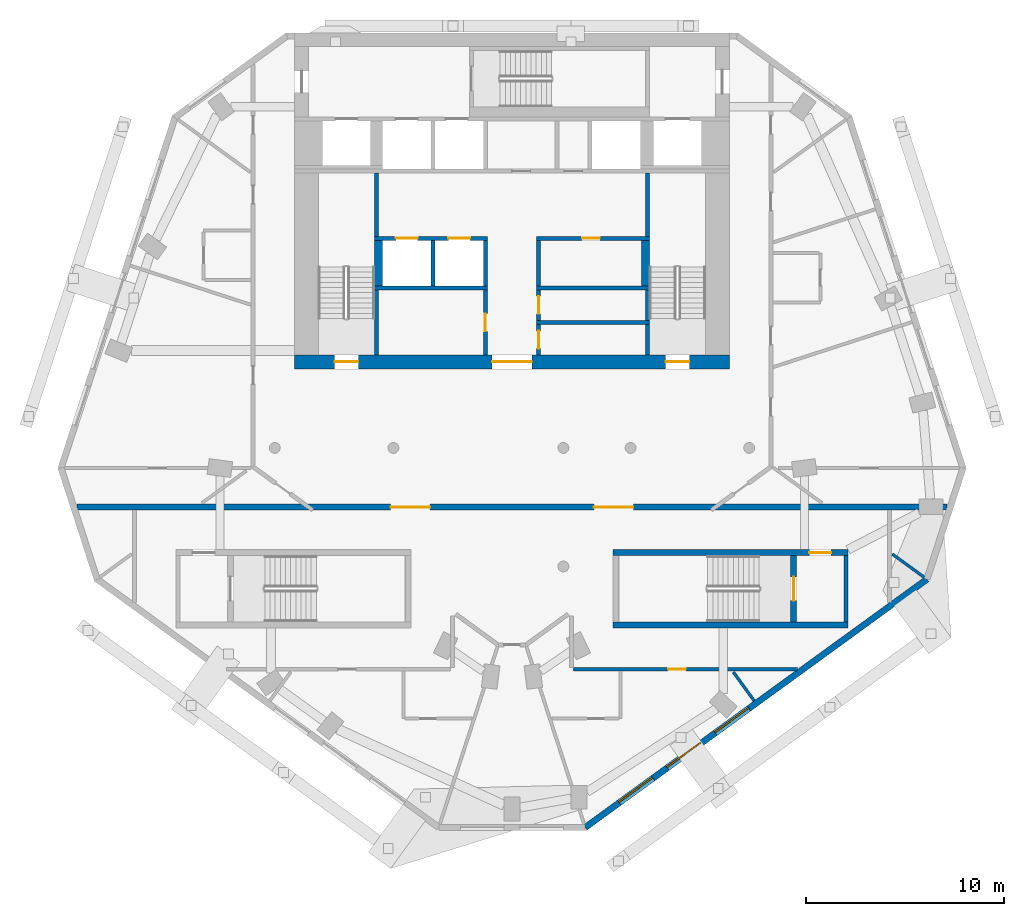
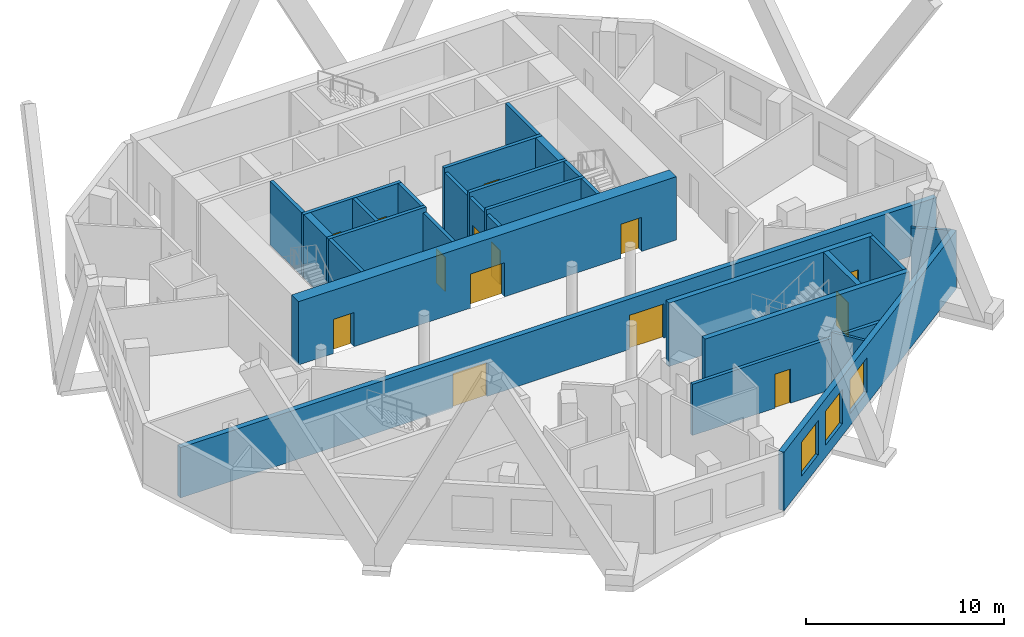
# One storey, part 4 of 8: 28 walls, 14 doors, 3 windows, 17 openings.
"""IFC4 building model written with IfcOpenShell, lengths in metres."""

from ifc_helpers import new_model, si_unit, direction, frame, frame_2d, origin, place, context, subcontext, project, spatial, rectangle, extrude, material, layer, layer_set, type_object, element, fill, save


model = new_model("IFC4")

# Units and contexts
model_context = context("Model", 3, precision=1e-05, world=origin(), true_north=direction((0.0, 1.0)))
body_context = subcontext(model_context, "Body", "Model", "MODEL_VIEW")
ifc_project = project(units=[si_unit("LENGTHUNIT", "METRE"), si_unit("AREAUNIT", "SQUARE_METRE"), si_unit("VOLUMEUNIT", "CUBIC_METRE"), si_unit("PLANEANGLEUNIT", "RADIAN"), si_unit("MASSUNIT", "GRAM", prefix="KILO")], contexts=[model_context])

# Site, building, storey
site_placement = place(None, origin())
site = spatial("IfcSite", under=ifc_project, at=site_placement, CompositionType="ELEMENT")
building_placement = place(site_placement, origin())
building = spatial("IfcBuilding", under=site, at=building_placement, Name="White Candle Pilgrim Tower", CompositionType="ELEMENT")
storey_placement = place(building_placement, frame((0.0, 0.0, 283.39990234375)))
storey = spatial("IfcBuildingStorey", under=building, at=storey_placement, Name="L67", CompositionType="ELEMENT", Elevation=283.39990234375)

# Wall
ifc_material_1 = material(Name="Concrete C50/60", Category="concrete")
ifc_layer_1 = layer(ifc_material_1, 0.199951171875)
ifc_layer_set_1 = layer_set([ifc_layer_1], Name="Core wall 200 mm Concrete C50/60")
wall_type_1 = type_object("IfcWallType", Name="Core wall 200 mm Concrete C50/60", PredefinedType="SHEAR", material=ifc_layer_set_1)
wall_1_placement = place(storey_placement, frame((86.89990234375, 58.199951171875, 0.0), z_axis=(0.0, 0.0, 1.0), x_axis=(0.0, 1.0, 0.0)))
element("IfcWall", 1, at=wall_1_placement, inside=storey, type_object=wall_type_1, Name="WL-L67-C08", PredefinedType="SHEAR", context=body_context, shape_type="SweptSolid", body=[
    extrude(rectangle(XDim=3.35009765625, YDim=0.199951171875, at=frame_2d((1.675048828125, 0.0))), origin(), (0.0, 0.0, 1.0), 3.900146484375),
])

# Wall, opening, door
ifc_material_2 = material(Name="Gypsum board on steel studs", Category="steel")
ifc_layer_2 = layer(ifc_material_2, 0.199951171875)
ifc_layer_set_2 = layer_set([ifc_layer_2], Name="Corridor wall 200 mm EI 45")
wall_type_2 = type_object("IfcWallType", Name="Corridor wall 200 mm EI 45", PredefinedType="PARTITIONING", material=ifc_layer_set_2)
wall_2_placement = place(storey_placement, frame((84.452392578125, 55.800048828125, 0.0), z_axis=(0.0, 0.0, 1.0), x_axis=(-1.0, 0.0, 0.0)))
wall_2 = element("IfcWall", 2, at=wall_2_placement, inside=storey, type_object=wall_type_2, Name="WL-L67-P008", PredefinedType="PARTITIONING", context=body_context, shape_type="SweptSolid", body=[
    extrude(rectangle(XDim=11.352294921875, YDim=0.199951171875, at=frame_2d((5.67626953125, 0.0))), origin(), (0.0, 0.0, 1.0), 3.150146484375),
])
opening_1_placement = place(wall_2_placement, frame((5.654541015625, 0.0, 0.0)))
opening_1 = element("IfcOpeningElement", 3, at=opening_1_placement, cuts=wall_2, Name="Opening T21-106", PredefinedType="OPENING", context=body_context, shape_type="SweptSolid", body=[
    extrude(rectangle(XDim=0.89990234375, YDim=2.10009765625, at=frame_2d((0.449951171875, 1.050048828125))), frame((0.0, 0.10986328125, 0.0), z_axis=(0.0, -1.0, 0.0), x_axis=(1.0, 0.0, 0.0)), (0.0, 0.0, 1.0), 0.219970703125),
])
ifc_material_3 = material(Name="Steel door leaf", Category="steel")
door_type_1 = type_object("IfcDoorType", Name="Fire door 900 x 2100 EI 30", OperationType="NOTDEFINED", PredefinedType="DOOR", material=ifc_material_3)
door_1_placement = place(opening_1_placement, origin())
door_1 = element("IfcDoor", 4, at=door_1_placement, inside=storey, type_object=door_type_1, Name="Door T21-106", OperationType="SINGLE_SWING_RIGHT", OverallHeight=2.10009765625, OverallWidth=0.89990234375, PredefinedType="DOOR", context=body_context, shape_type="SweptSolid", body=[
    extrude(rectangle(XDim=0.89990234375, YDim=2.10009765625, at=frame_2d((0.449951171875, 1.050048828125))), frame((0.0, 0.02490234375, 0.0), z_axis=(0.0, -1.0, 0.0), x_axis=(1.0, 0.0, 0.0)), (0.0, 0.0, 1.0), 0.050048828125),
])
fill(opening_1, door_1)

# Wall, openings, windows
ifc_material_4 = material(Name="Precast concrete C40/50", Category="concrete")
ifc_layer_3 = layer(ifc_material_4, 0.320068359375)
ifc_layer_set_3 = layer_set([ifc_layer_3], Name="Facade wall EW1 precast concrete C40/50 pier wall with timber-lined reveals")
wall_type_3 = type_object("IfcWallType", Name="Facade wall EW1 precast concrete C40/50 pier wall with timber-lined reveals", PredefinedType="SOLIDWALL", material=ifc_layer_set_3)
wall_3_placement = place(storey_placement, frame((73.705078125, 47.7939453125, 0.0), z_axis=(0.0, 0.0, 1.0), x_axis=(0.809019072803, 0.58778239157, 0.0)))
wall_3 = element("IfcWall", 5, at=wall_3_placement, inside=storey, type_object=wall_type_3, Name="Facade wall L67 SE", PredefinedType="SOLIDWALL", context=body_context, shape_type="SweptSolid", body=[
    extrude(rectangle(XDim=21.369873046875, YDim=0.320068359375, at=frame_2d((10.68505859375, 0.0))), origin(), (0.0, 0.0, 1.0), 3.60009765625),
])
opening_2_placement = place(wall_3_placement, frame((2.135009765625, 0.0, 0.75)))
opening_2 = element("IfcOpeningElement", 6, at=opening_2_placement, cuts=wall_3, Name="Opening W3", PredefinedType="OPENING", context=body_context, shape_type="SweptSolid", body=[
    extrude(rectangle(XDim=2.10009765625, YDim=2.10009765625, at=frame_2d((1.050048828125, 1.050048828125))), frame((0.0, 0.169921875, 0.0), z_axis=(0.0, -1.0, 0.0), x_axis=(1.0, 0.0, 0.0)), (0.0, 0.0, 1.0), 0.340087890625),
])
opening_3_placement = place(wall_3_placement, frame((5.135009765625, 0.0, 0.75)))
opening_3 = element("IfcOpeningElement", 7, at=opening_3_placement, cuts=wall_3, Name="Opening W3", PredefinedType="OPENING", context=body_context, shape_type="SweptSolid", body=[
    extrude(rectangle(XDim=2.10009765625, YDim=2.10009765625, at=frame_2d((1.050048828125, 1.050048828125))), frame((0.0, 0.169921875, 0.0), z_axis=(0.0, -1.0, 0.0), x_axis=(1.0, 0.0, 0.0)), (0.0, 0.0, 1.0), 0.340087890625),
])
opening_4_placement = place(wall_3_placement, frame((8.135009765625, 0.0, 0.75)))
opening_4 = element("IfcOpeningElement", 8, at=opening_4_placement, cuts=wall_3, Name="Opening W3", PredefinedType="OPENING", context=body_context, shape_type="SweptSolid", body=[
    extrude(rectangle(XDim=2.10009765625, YDim=2.10009765625, at=frame_2d((1.050048828125, 1.050048828125))), frame((0.0, 0.169921875, 0.0), z_axis=(0.0, -1.0, 0.0), x_axis=(1.0, 0.0, 0.0)), (0.0, 0.0, 1.0), 0.340087890625),
])
ifc_material_5 = material(Name="Timber frame with triple glazing", Category="wood")
window_type = type_object("IfcWindowType", Name="Window W3 2100x2100 timber frame triple glazing", PartitioningType="SINGLE_PANEL", PredefinedType="WINDOW", material=ifc_material_5)
window_1_placement = place(opening_2_placement, origin())
window_1 = element("IfcWindow", 9, at=window_1_placement, inside=storey, type_object=window_type, Name="Window W3 L67 SE 1", OverallHeight=2.10009765625, OverallWidth=2.10009765625, PartitioningType="SINGLE_PANEL", PredefinedType="WINDOW", context=body_context, shape_type="SweptSolid", body=[
    extrude(rectangle(XDim=2.10009765625, YDim=2.10009765625, at=frame_2d((1.050048828125, 1.050048828125))), frame((0.0, 0.070068359375, 0.0), z_axis=(0.0, -1.0, 0.0), x_axis=(1.0, 0.0, 0.0)), (0.0, 0.0, 1.0), 0.06005859375),
])
fill(opening_2, window_1)
window_2_placement = place(opening_3_placement, origin())
window_2 = element("IfcWindow", 10, at=window_2_placement, inside=storey, type_object=window_type, Name="Window W3 L67 SE 2", OverallHeight=2.10009765625, OverallWidth=2.10009765625, PartitioningType="SINGLE_PANEL", PredefinedType="WINDOW", context=body_context, shape_type="SweptSolid", body=[
    extrude(rectangle(XDim=2.10009765625, YDim=2.10009765625, at=frame_2d((1.050048828125, 1.050048828125))), frame((0.0, 0.070068359375, 0.0), z_axis=(0.0, -1.0, 0.0), x_axis=(1.0, 0.0, 0.0)), (0.0, 0.0, 1.0), 0.06005859375),
])
fill(opening_3, window_2)
window_3_placement = place(opening_4_placement, origin())
window_3 = element("IfcWindow", 11, at=window_3_placement, inside=storey, type_object=window_type, Name="Window W3 L67 SE 3", OverallHeight=2.10009765625, OverallWidth=2.10009765625, PartitioningType="SINGLE_PANEL", PredefinedType="WINDOW", context=body_context, shape_type="SweptSolid", body=[
    extrude(rectangle(XDim=2.10009765625, YDim=2.10009765625, at=frame_2d((1.050048828125, 1.050048828125))), frame((0.0, 0.070068359375, 0.0), z_axis=(0.0, -1.0, 0.0), x_axis=(1.0, 0.0, 0.0)), (0.0, 0.0, 1.0), 0.06005859375),
])
fill(opening_4, window_3)

# Wall, openings, doors
ifc_material_6 = material(Name="Aerated concrete block", Category="concrete")
ifc_layer_4 = layer(ifc_material_6, 0.300048828125)
ifc_layer_set_4 = layer_set([ifc_layer_4], Name="Fire wall 300 mm REI 240")
wall_type_4 = type_object("IfcWallType", Name="Fire wall 300 mm REI 240", PredefinedType="PARTITIONING", material=ifc_layer_set_4)
wall_4_placement = place(storey_placement, frame((47.990234375, 64.0, 0.0), z_axis=(0.0, 0.0, 1.0), x_axis=(1.0, 0.0, 0.0)))
wall_4 = element("IfcWall", 12, at=wall_4_placement, inside=storey, type_object=wall_type_4, Name="WL-L67-P001", PredefinedType="PARTITIONING", context=body_context, shape_type="SweptSolid", body=[
    extrude(rectangle(XDim=44.01953125, YDim=0.300048828125, at=frame_2d((22.009765625, 0.0))), origin(), (0.0, 0.0, 1.0), 3.10009765625),
])
opening_5_placement = place(wall_4_placement, frame((15.864501953125, 0.0, 0.0)))
opening_5 = element("IfcOpeningElement", 13, at=opening_5_placement, cuts=wall_4, Name="Opening T21-108", PredefinedType="OPENING", context=body_context, shape_type="SweptSolid", body=[
    extrude(rectangle(XDim=2.0, YDim=2.10009765625, at=frame_2d((1.0, 1.050048828125))), frame((0.0, 0.159912109375, 0.0), z_axis=(0.0, -1.0, 0.0), x_axis=(1.0, 0.0, 0.0)), (0.0, 0.0, 1.0), 0.320068359375),
])
opening_6_placement = place(wall_4_placement, frame((26.1552734375, 0.0, 0.0)))
opening_6 = element("IfcOpeningElement", 14, at=opening_6_placement, cuts=wall_4, Name="Opening T21-109", PredefinedType="OPENING", context=body_context, shape_type="SweptSolid", body=[
    extrude(rectangle(XDim=2.0, YDim=2.10009765625, at=frame_2d((1.0, 1.050048828125))), frame((0.0, 0.159912109375, 0.0), z_axis=(0.0, -1.0, 0.0), x_axis=(1.0, 0.0, 0.0)), (0.0, 0.0, 1.0), 0.320068359375),
])
door_type_2 = type_object("IfcDoorType", Name="Fire door 2000 x 2100 EI 60", OperationType="NOTDEFINED", PredefinedType="DOOR", material=ifc_material_3)
door_2_placement = place(opening_5_placement, origin())
door_2 = element("IfcDoor", 15, at=door_2_placement, inside=storey, type_object=door_type_2, Name="Door T21-108", OperationType="DOUBLE_DOOR_SINGLE_SWING", OverallHeight=2.10009765625, OverallWidth=2.0, PredefinedType="DOOR", context=body_context, shape_type="SweptSolid", body=[
    extrude(rectangle(XDim=2.0, YDim=2.10009765625, at=frame_2d((1.0, 1.050048828125))), frame((0.0, 0.02490234375, 0.0), z_axis=(0.0, -1.0, 0.0), x_axis=(1.0, 0.0, 0.0)), (0.0, 0.0, 1.0), 0.050048828125),
])
fill(opening_5, door_2)
door_3_placement = place(opening_6_placement, origin())
door_3 = element("IfcDoor", 16, at=door_3_placement, inside=storey, type_object=door_type_2, Name="Door T21-109", OperationType="DOUBLE_DOOR_SINGLE_SWING", OverallHeight=2.10009765625, OverallWidth=2.0, PredefinedType="DOOR", context=body_context, shape_type="SweptSolid", body=[
    extrude(rectangle(XDim=2.0, YDim=2.10009765625, at=frame_2d((1.0, 1.050048828125))), frame((0.0, 0.02490234375, 0.0), z_axis=(0.0, -1.0, 0.0), x_axis=(1.0, 0.0, 0.0)), (0.0, 0.0, 1.0), 0.050048828125),
])
fill(opening_6, door_3)

# Wall, opening, door
ifc_layer_5 = layer(ifc_material_2, 0.199951171875)
ifc_layer_set_5 = layer_set([ifc_layer_5], Name="Lobby wall 200 mm EI 60")
wall_type_5 = type_object("IfcWallType", Name="Lobby wall 200 mm EI 60", PredefinedType="PARTITIONING", material=ifc_layer_set_5)
wall_5_placement = place(storey_placement, frame((68.64990234375, 71.699951171875, 0.0), z_axis=(0.0, 0.0, 1.0), x_axis=(0.0, 1.0, 0.0)))
wall_5 = element("IfcWall", 17, at=wall_5_placement, inside=storey, type_object=wall_type_5, Name="WL-L67-C14", PredefinedType="PARTITIONING", context=body_context, shape_type="SweptSolid", body=[
    extrude(rectangle(XDim=3.300048828125, YDim=0.199951171875, at=frame_2d((1.64990234375, 0.0))), origin(), (0.0, 0.0, 1.0), 3.60009765625),
])
opening_7_placement = place(wall_5_placement, frame((1.199951171875, 0.0, 0.0)))
opening_7 = element("IfcOpeningElement", 18, at=opening_7_placement, cuts=wall_5, Name="Opening T21-005", PredefinedType="OPENING", context=body_context, shape_type="SweptSolid", body=[
    extrude(rectangle(XDim=0.89990234375, YDim=2.10009765625, at=frame_2d((0.449951171875, 1.050048828125))), frame((0.0, 0.10986328125, 0.0), z_axis=(0.0, -1.0, 0.0), x_axis=(1.0, 0.0, 0.0)), (0.0, 0.0, 1.0), 0.219970703125),
])
door_4_placement = place(opening_7_placement, origin())
door_4 = element("IfcDoor", 19, at=door_4_placement, inside=storey, type_object=door_type_1, Name="Door T21-005", OperationType="SINGLE_SWING_LEFT", OverallHeight=2.10009765625, OverallWidth=0.89990234375, PredefinedType="DOOR", context=body_context, shape_type="SweptSolid", body=[
    extrude(rectangle(XDim=0.89990234375, YDim=2.10009765625, at=frame_2d((0.449951171875, 1.050048828125))), frame((0.0, 0.02490234375, 0.0), z_axis=(0.0, -1.0, 0.0), x_axis=(1.0, 0.0, 0.0)), (0.0, 0.0, 1.0), 0.050048828125),
])
fill(opening_7, door_4)

wall_6_placement = place(storey_placement, frame((71.35009765625, 71.699951171875, 0.0), z_axis=(0.0, 0.0, 1.0), x_axis=(0.0, 1.0, 0.0)))
wall_6 = element("IfcWall", 20, at=wall_6_placement, inside=storey, type_object=wall_type_5, Name="WL-L67-C15", PredefinedType="PARTITIONING", context=body_context, shape_type="SweptSolid", body=[
    extrude(rectangle(XDim=1.550048828125, YDim=0.199951171875, at=frame_2d((0.77490234375, 0.0))), origin(), (0.0, 0.0, 1.0), 3.60009765625),
])
opening_8_placement = place(wall_6_placement, frame((0.324951171875, 0.0, 0.0)))
opening_8 = element("IfcOpeningElement", 21, at=opening_8_placement, cuts=wall_6, Name="Opening T21-006", PredefinedType="OPENING", context=body_context, shape_type="SweptSolid", body=[
    extrude(rectangle(XDim=0.89990234375, YDim=2.10009765625, at=frame_2d((0.449951171875, 1.050048828125))), frame((0.0, 0.10986328125, 0.0), z_axis=(0.0, -1.0, 0.0), x_axis=(1.0, 0.0, 0.0)), (0.0, 0.0, 1.0), 0.219970703125),
])
door_5_placement = place(opening_8_placement, origin())
door_5 = element("IfcDoor", 22, at=door_5_placement, inside=storey, type_object=door_type_1, Name="Door T21-006", OperationType="SINGLE_SWING_RIGHT", OverallHeight=2.10009765625, OverallWidth=0.89990234375, PredefinedType="DOOR", context=body_context, shape_type="SweptSolid", body=[
    extrude(rectangle(XDim=0.89990234375, YDim=2.10009765625, at=frame_2d((0.449951171875, 1.050048828125))), frame((0.0, 0.02490234375, 0.0), z_axis=(0.0, -1.0, 0.0), x_axis=(1.0, 0.0, 0.0)), (0.0, 0.0, 1.0), 0.050048828125),
])
fill(opening_8, door_5)

wall_7_placement = place(storey_placement, frame((71.35009765625, 73.449951171875, 0.0), z_axis=(0.0, 0.0, 1.0), x_axis=(0.0, 1.0, 0.0)))
wall_7 = element("IfcWall", 23, at=wall_7_placement, inside=storey, type_object=wall_type_5, Name="WL-L67-C19", PredefinedType="PARTITIONING", context=body_context, shape_type="SweptSolid", body=[
    extrude(rectangle(XDim=1.550048828125, YDim=0.199951171875, at=frame_2d((0.77490234375, 0.0))), origin(), (0.0, 0.0, 1.0), 3.60009765625),
])
opening_9_placement = place(wall_7_placement, frame((0.324951171875, 0.0, 0.0)))
opening_9 = element("IfcOpeningElement", 24, at=opening_9_placement, cuts=wall_7, Name="Opening T21-007", PredefinedType="OPENING", context=body_context, shape_type="SweptSolid", body=[
    extrude(rectangle(XDim=0.89990234375, YDim=2.10009765625, at=frame_2d((0.449951171875, 1.050048828125))), frame((0.0, 0.10986328125, 0.0), z_axis=(0.0, -1.0, 0.0), x_axis=(1.0, 0.0, 0.0)), (0.0, 0.0, 1.0), 0.219970703125),
])
door_6_placement = place(opening_9_placement, origin())
door_6 = element("IfcDoor", 25, at=door_6_placement, inside=storey, type_object=door_type_1, Name="Door T21-007", OperationType="SINGLE_SWING_LEFT", OverallHeight=2.10009765625, OverallWidth=0.89990234375, PredefinedType="DOOR", context=body_context, shape_type="SweptSolid", body=[
    extrude(rectangle(XDim=0.89990234375, YDim=2.10009765625, at=frame_2d((0.449951171875, 1.050048828125))), frame((0.0, 0.02490234375, 0.0), z_axis=(0.0, -1.0, 0.0), x_axis=(1.0, 0.0, 0.0)), (0.0, 0.0, 1.0), 0.050048828125),
])
fill(opening_9, door_6)

# Walls
wall_8_placement = place(storey_placement, frame((71.35009765625, 75.199951171875, 0.0), z_axis=(0.0, 0.0, 1.0), x_axis=(0.0, 1.0, 0.0)))
element("IfcWall", 26, at=wall_8_placement, inside=storey, type_object=wall_type_5, Name="WL-L67-C26", PredefinedType="PARTITIONING", context=body_context, shape_type="SweptSolid", body=[
    extrude(rectangle(XDim=2.300048828125, YDim=0.199951171875, at=frame_2d((1.14990234375, 0.0))), origin(), (0.0, 0.0, 1.0), 3.60009765625),
])
ifc_layer_6 = layer(ifc_material_2, 0.14990234375)
ifc_layer_set_6 = layer_set([ifc_layer_6], Name="Partition 150 mm EI 60")
wall_type_6 = type_object("IfcWallType", Name="Partition 150 mm EI 60", PredefinedType="PARTITIONING", material=ifc_layer_set_6)
wall_9_placement = place(storey_placement, frame((90.857421875, 60.45361328125, 0.0), z_axis=(0.0, 0.0, 1.0), x_axis=(-0.809016588302, 0.587785811204, 0.0)))
element("IfcWall", 27, at=wall_9_placement, inside=storey, type_object=wall_type_6, Name="WL-L67-P021", PredefinedType="PARTITIONING", context=body_context, shape_type="SweptSolid", body=[
    extrude(rectangle(XDim=1.994140625, YDim=0.14990234375, at=frame_2d((0.9970703125, 0.0))), origin(), (0.0, 0.0, 1.0), 3.60009765625),
])
wall_10_placement = place(storey_placement, frame((82.25537109375, 54.20361328125, 0.0), z_axis=(0.0, 0.0, 1.0), x_axis=(-0.58776731683, 0.809030024947, 0.0)))
element("IfcWall", 28, at=wall_10_placement, inside=storey, type_object=wall_type_6, Name="WL-L67-P032", PredefinedType="PARTITIONING", context=body_context, shape_type="SweptSolid", body=[
    extrude(rectangle(XDim=1.795166015625, YDim=0.14990234375, at=frame_2d((0.8974609375, 0.0))), origin(), (0.0, 0.0, 1.0), 3.60009765625),
])
ifc_layer_7 = layer(ifc_material_1, 0.199951171875)
ifc_layer_set_7 = layer_set([ifc_layer_7], Name="Shaft wall 200 mm Concrete C50/60")
wall_type_7 = type_object("IfcWallType", Name="Shaft wall 200 mm Concrete C50/60", PredefinedType="SHEAR", material=ifc_layer_set_7)
for number, where, z_axis, x_axis, name in (
    (29, (66.0, 75.199951171875, 0.0), (0.0, 0.0, 1.0), (0.0, 1.0, 0.0), "WL-L67-C24"),
    (30, (68.64990234375, 75.199951171875, 0.0), (0.0, 0.0, 1.0), (0.0, 1.0, 0.0), "WL-L67-C25"),
):
    element("IfcWall", number, at=place(storey_placement, frame(where, z_axis=z_axis, x_axis=x_axis)), inside=storey, type_object=wall_type_7, Name=name, PredefinedType="SHEAR", context=body_context, shape_type="SweptSolid", body=[
        extrude(rectangle(XDim=2.300048828125, YDim=0.199951171875, at=frame_2d((1.14990234375, 0.0))), origin(), (0.0, 0.0, 1.0), 3.900146484375),
    ])
ifc_layer_8 = layer(ifc_material_1, 0.199951171875)
ifc_layer_set_8 = layer_set([ifc_layer_8], Name="Stair shaft wall 200 mm Concrete C50/60")
wall_type_8 = type_object("IfcWallType", Name="Stair shaft wall 200 mm Concrete C50/60", PredefinedType="SHEAR", material=ifc_layer_set_8)
wall_11_placement = place(storey_placement, frame((63.14990234375, 71.699951171875, 0.0), z_axis=(0.0, 0.0, 1.0), x_axis=(0.0, 1.0, 0.0)))
element("IfcWall", 31, at=wall_11_placement, inside=storey, type_object=wall_type_8, Name="WL-L67-C13", PredefinedType="SHEAR", context=body_context, shape_type="SweptSolid", body=[
    extrude(rectangle(XDim=3.300048828125, YDim=0.199951171875, at=frame_2d((1.64990234375, 0.0))), origin(), (0.0, 0.0, 1.0), 3.900146484375),
])
wall_12_placement = place(storey_placement, frame((76.85009765625, 71.699951171875, 0.0), z_axis=(0.0, 0.0, 1.0), x_axis=(0.0, 1.0, 0.0)))
element("IfcWall", 32, at=wall_12_placement, inside=storey, type_object=wall_type_8, Name="WL-L67-C16", PredefinedType="SHEAR", context=body_context, shape_type="SweptSolid", body=[
    extrude(rectangle(XDim=1.550048828125, YDim=0.199951171875, at=frame_2d((0.77490234375, 0.0))), origin(), (0.0, 0.0, 1.0), 3.900146484375),
])
wall_13_placement = place(storey_placement, frame((71.25, 73.35009765625, 0.0), z_axis=(0.0, 0.0, 1.0), x_axis=(1.0, 0.0, 0.0)))
element("IfcWall", 33, at=wall_13_placement, inside=storey, type_object=wall_type_8, Name="WL-L67-C18", PredefinedType="SHEAR", context=body_context, shape_type="SweptSolid", body=[
    extrude(rectangle(XDim=5.699951171875, YDim=0.199951171875, at=frame_2d((2.85009765625, 0.0))), origin(), (0.0, 0.0, 1.0), 3.900146484375),
])
wall_14_placement = place(storey_placement, frame((76.85009765625, 73.449951171875, 0.0), z_axis=(0.0, 0.0, 1.0), x_axis=(0.0, 1.0, 0.0)))
element("IfcWall", 34, at=wall_14_placement, inside=storey, type_object=wall_type_8, Name="WL-L67-C20", PredefinedType="SHEAR", context=body_context, shape_type="SweptSolid", body=[
    extrude(rectangle(XDim=1.550048828125, YDim=0.199951171875, at=frame_2d((0.77490234375, 0.0))), origin(), (0.0, 0.0, 1.0), 3.900146484375),
])
for number, where, z_axis, x_axis, name in (
    (35, (63.050048828125, 75.10009765625, 0.0), (0.0, 0.0, 1.0), (1.0, 0.0, 0.0), "WL-L67-C21"),
    (36, (71.25, 75.10009765625, 0.0), (0.0, 0.0, 1.0), (1.0, 0.0, 0.0), "WL-L67-C22"),
):
    element("IfcWall", number, at=place(storey_placement, frame(where, z_axis=z_axis, x_axis=x_axis)), inside=storey, type_object=wall_type_8, Name=name, PredefinedType="SHEAR", context=body_context, shape_type="SweptSolid", body=[
        extrude(rectangle(XDim=5.699951171875, YDim=0.199951171875, at=frame_2d((2.85009765625, 0.0))), origin(), (0.0, 0.0, 1.0), 3.900146484375),
    ])

# Wall, openings, doors
wall_15_placement = place(storey_placement, frame((63.050048828125, 77.60009765625, 0.0), z_axis=(0.0, 0.0, 1.0), x_axis=(1.0, 0.0, 0.0)))
wall_15 = element("IfcWall", 37, at=wall_15_placement, inside=storey, type_object=wall_type_8, Name="WL-L67-C28", PredefinedType="SHEAR", context=body_context, shape_type="SweptSolid", body=[
    extrude(rectangle(XDim=5.699951171875, YDim=0.199951171875, at=frame_2d((2.85009765625, 0.0))), origin(), (0.0, 0.0, 1.0), 3.900146484375),
])
opening_10_placement = place(wall_15_placement, frame((1.074951171875, 0.0, 0.0)))
opening_10 = element("IfcOpeningElement", 38, at=opening_10_placement, cuts=wall_15, Name="Opening T21-014", PredefinedType="OPENING", context=body_context, shape_type="SweptSolid", body=[
    extrude(rectangle(XDim=1.10009765625, YDim=2.10009765625, at=frame_2d((0.550048828125, 1.050048828125))), frame((0.0, 0.10986328125, 0.0), z_axis=(0.0, -1.0, 0.0), x_axis=(1.0, 0.0, 0.0)), (0.0, 0.0, 1.0), 0.219970703125),
])
opening_11_placement = place(wall_15_placement, frame((3.72509765625, 0.0, 0.0)))
opening_11 = element("IfcOpeningElement", 39, at=opening_11_placement, cuts=wall_15, Name="Opening T21-015", PredefinedType="OPENING", context=body_context, shape_type="SweptSolid", body=[
    extrude(rectangle(XDim=1.10009765625, YDim=2.10009765625, at=frame_2d((0.550048828125, 1.050048828125))), frame((0.0, 0.10986328125, 0.0), z_axis=(0.0, -1.0, 0.0), x_axis=(1.0, 0.0, 0.0)), (0.0, 0.0, 1.0), 0.219970703125),
])
ifc_material_7 = material(Name="Stainless steel", Category="steel")
door_type_3 = type_object("IfcDoorType", Name="Lift landing door 1100 x 2100 E 60", OperationType="DOUBLE_DOOR_SLIDING", PredefinedType="DOOR", material=ifc_material_7)
door_7_placement = place(opening_10_placement, origin())
door_7 = element("IfcDoor", 40, at=door_7_placement, inside=storey, type_object=door_type_3, Name="Door T21-014", OperationType="DOUBLE_DOOR_SLIDING", OverallHeight=2.10009765625, OverallWidth=1.10009765625, PredefinedType="DOOR", context=body_context, shape_type="SweptSolid", body=[
    extrude(rectangle(XDim=1.10009765625, YDim=2.10009765625, at=frame_2d((0.550048828125, 1.050048828125))), frame((0.0, 0.02490234375, 0.0), z_axis=(0.0, -1.0, 0.0), x_axis=(1.0, 0.0, 0.0)), (0.0, 0.0, 1.0), 0.050048828125),
])
fill(opening_10, door_7)
door_8_placement = place(opening_11_placement, origin())
door_8 = element("IfcDoor", 41, at=door_8_placement, inside=storey, type_object=door_type_3, Name="Door T21-015", OperationType="DOUBLE_DOOR_SLIDING", OverallHeight=2.10009765625, OverallWidth=1.10009765625, PredefinedType="DOOR", context=body_context, shape_type="SweptSolid", body=[
    extrude(rectangle(XDim=1.10009765625, YDim=2.10009765625, at=frame_2d((0.550048828125, 1.050048828125))), frame((0.0, 0.02490234375, 0.0), z_axis=(0.0, -1.0, 0.0), x_axis=(1.0, 0.0, 0.0)), (0.0, 0.0, 1.0), 0.050048828125),
])
fill(opening_11, door_8)

# Wall, opening, door
wall_16_placement = place(storey_placement, frame((71.25, 77.60009765625, 0.0), z_axis=(0.0, 0.0, 1.0), x_axis=(1.0, 0.0, 0.0)))
wall_16 = element("IfcWall", 42, at=wall_16_placement, inside=storey, type_object=wall_type_8, Name="WL-L67-C29", PredefinedType="SHEAR", context=body_context, shape_type="SweptSolid", body=[
    extrude(rectangle(XDim=5.699951171875, YDim=0.199951171875, at=frame_2d((2.85009765625, 0.0))), origin(), (0.0, 0.0, 1.0), 3.900146484375),
])
opening_12_placement = place(wall_16_placement, frame((2.300048828125, 0.0, 0.0)))
opening_12 = element("IfcOpeningElement", 43, at=opening_12_placement, cuts=wall_16, Name="Opening T21-020", PredefinedType="OPENING", context=body_context, shape_type="SweptSolid", body=[
    extrude(rectangle(XDim=0.89990234375, YDim=2.10009765625, at=frame_2d((0.449951171875, 1.050048828125))), frame((0.0, 0.10986328125, 0.0), z_axis=(0.0, -1.0, 0.0), x_axis=(1.0, 0.0, 0.0)), (0.0, 0.0, 1.0), 0.219970703125),
])
door_9_placement = place(opening_12_placement, origin())
door_9 = element("IfcDoor", 44, at=door_9_placement, inside=storey, type_object=door_type_1, Name="Door T21-020", OperationType="SINGLE_SWING_RIGHT", OverallHeight=2.10009765625, OverallWidth=0.89990234375, PredefinedType="DOOR", context=body_context, shape_type="SweptSolid", body=[
    extrude(rectangle(XDim=0.89990234375, YDim=2.10009765625, at=frame_2d((0.449951171875, 1.050048828125))), frame((0.0, 0.02490234375, 0.0), z_axis=(0.0, -1.0, 0.0), x_axis=(1.0, 0.0, 0.0)), (0.0, 0.0, 1.0), 0.050048828125),
])
fill(opening_12, door_9)

# Walls
for number, where, z_axis, x_axis, name in (
    (45, (63.14990234375, 77.699951171875, 0.0), (0.0, 0.0, 1.0), (0.0, 1.0, 0.0), "WL-L67-C30"),
    (46, (76.85009765625, 77.699951171875, 0.0), (0.0, 0.0, 1.0), (0.0, 1.0, 0.0), "WL-L67-C31"),
):
    element("IfcWall", number, at=place(storey_placement, frame(where, z_axis=z_axis, x_axis=x_axis)), inside=storey, type_object=wall_type_8, Name=name, PredefinedType="SHEAR", context=body_context, shape_type="SweptSolid", body=[
        extrude(rectangle(XDim=3.199951171875, YDim=0.199951171875, at=frame_2d((1.60009765625, 0.0))), origin(), (0.0, 0.0, 1.0), 3.900146484375),
    ])
ifc_layer_9 = layer(ifc_material_1, 0.300048828125)
ifc_layer_set_9 = layer_set([ifc_layer_9], Name="Stair shaft wall 300 mm Concrete C50/60")
wall_type_9 = type_object("IfcWallType", Name="Stair shaft wall 300 mm Concrete C50/60", PredefinedType="SHEAR", material=ifc_layer_set_9)
wall_17_placement = place(storey_placement, frame((75.10009765625, 58.050048828125, 0.0), z_axis=(0.0, 0.0, 1.0), x_axis=(1.0, 0.0, 0.0)))
element("IfcWall", 47, at=wall_17_placement, inside=storey, type_object=wall_type_9, Name="WL-L67-C02", PredefinedType="SHEAR", context=body_context, shape_type="SweptSolid", body=[
    extrude(rectangle(XDim=11.89990234375, YDim=0.300048828125, at=frame_2d((5.949951171875, 0.0))), origin(), (0.0, 0.0, 1.0), 3.900146484375),
])

# Wall, opening, door
wall_18_placement = place(storey_placement, frame((84.25, 58.199951171875, 0.0), z_axis=(0.0, 0.0, 1.0), x_axis=(0.0, 1.0, 0.0)))
wall_18 = element("IfcWall", 48, at=wall_18_placement, inside=storey, type_object=wall_type_9, Name="WL-L67-C07", PredefinedType="SHEAR", context=body_context, shape_type="SweptSolid", body=[
    extrude(rectangle(XDim=3.35009765625, YDim=0.300048828125, at=frame_2d((1.675048828125, 0.0))), origin(), (0.0, 0.0, 1.0), 3.900146484375),
])
opening_13_placement = place(wall_18_placement, frame((1.074951171875, 0.0, 0.0)))
opening_13 = element("IfcOpeningElement", 49, at=opening_13_placement, cuts=wall_18, Name="Opening T21-013", PredefinedType="OPENING", context=body_context, shape_type="SweptSolid", body=[
    extrude(rectangle(XDim=1.199951171875, YDim=2.10009765625, at=frame_2d((0.60009765625, 1.050048828125))), frame((0.0, 0.159912109375, 0.0), z_axis=(0.0, -1.0, 0.0), x_axis=(1.0, 0.0, 0.0)), (0.0, 0.0, 1.0), 0.320068359375),
])
door_type_4 = type_object("IfcDoorType", Name="Fire door 1200 x 2100 EI 60", OperationType="NOTDEFINED", PredefinedType="DOOR", material=ifc_material_3)
door_10_placement = place(opening_13_placement, origin())
door_10 = element("IfcDoor", 50, at=door_10_placement, inside=storey, type_object=door_type_4, Name="Door T21-013", OperationType="SINGLE_SWING_LEFT", OverallHeight=2.10009765625, OverallWidth=1.199951171875, PredefinedType="DOOR", context=body_context, shape_type="SweptSolid", body=[
    extrude(rectangle(XDim=1.199951171875, YDim=2.10009765625, at=frame_2d((0.60009765625, 1.050048828125))), frame((0.0, 0.02490234375, 0.0), z_axis=(0.0, -1.0, 0.0), x_axis=(1.0, 0.0, 0.0)), (0.0, 0.0, 1.0), 0.050048828125),
])
fill(opening_13, door_10)

wall_19_placement = place(storey_placement, frame((75.10009765625, 61.699951171875, 0.0), z_axis=(0.0, 0.0, 1.0), x_axis=(1.0, 0.0, 0.0)))
wall_19 = element("IfcWall", 51, at=wall_19_placement, inside=storey, type_object=wall_type_9, Name="WL-L67-C10", PredefinedType="SHEAR", context=body_context, shape_type="SweptSolid", body=[
    extrude(rectangle(XDim=11.89990234375, YDim=0.300048828125, at=frame_2d((5.949951171875, 0.0))), origin(), (0.0, 0.0, 1.0), 3.900146484375),
])
opening_14_placement = place(wall_19_placement, frame((9.949951171875, 0.0, 0.0)))
opening_14 = element("IfcOpeningElement", 52, at=opening_14_placement, cuts=wall_19, Name="Opening T21-012", PredefinedType="OPENING", context=body_context, shape_type="SweptSolid", body=[
    extrude(rectangle(XDim=1.10009765625, YDim=2.10009765625, at=frame_2d((0.550048828125, 1.050048828125))), frame((0.0, 0.159912109375, 0.0), z_axis=(0.0, -1.0, 0.0), x_axis=(1.0, 0.0, 0.0)), (0.0, 0.0, 1.0), 0.320068359375),
])
door_type_5 = type_object("IfcDoorType", Name="Fire door 1100 x 2100 EI 60", OperationType="NOTDEFINED", PredefinedType="DOOR", material=ifc_material_3)
door_11_placement = place(opening_14_placement, frame((1.10009765625, 0.0, 0.0), z_axis=(0.0, 0.0, 1.0), x_axis=(-1.0, 0.0, 0.0)))
door_11 = element("IfcDoor", 53, at=door_11_placement, inside=storey, type_object=door_type_5, Name="Door T21-012", OperationType="SINGLE_SWING_LEFT", OverallHeight=2.10009765625, OverallWidth=1.10009765625, PredefinedType="DOOR", context=body_context, shape_type="SweptSolid", body=[
    extrude(rectangle(XDim=1.10009765625, YDim=2.10009765625, at=frame_2d((0.550048828125, 1.050048828125))), frame((0.0, 0.02490234375, 0.0), z_axis=(0.0, -1.0, 0.0), x_axis=(1.0, 0.0, 0.0)), (0.0, 0.0, 1.0), 0.050048828125),
])
fill(opening_14, door_11)

# Walls
ifc_layer_10 = layer(ifc_material_1, 0.39990234375)
ifc_layer_set_10 = layer_set([ifc_layer_10], Name="Stair shaft wall 400 mm Concrete C50/60")
wall_type_10 = type_object("IfcWallType", Name="Stair shaft wall 400 mm Concrete C50/60", PredefinedType="SHEAR", material=ifc_layer_set_10)
for number, where, z_axis, x_axis, name in (
    (54, (63.25, 75.199951171875, 0.0), (0.0, 0.0, 1.0), (0.0, 1.0, 0.0), "WL-L67-C23"),
    (55, (76.75, 75.199951171875, 0.0), (0.0, 0.0, 1.0), (0.0, 1.0, 0.0), "WL-L67-C27"),
):
    element("IfcWall", number, at=place(storey_placement, frame(where, z_axis=z_axis, x_axis=x_axis)), inside=storey, type_object=wall_type_10, Name=name, PredefinedType="SHEAR", context=body_context, shape_type="SweptSolid", body=[
        extrude(rectangle(XDim=2.300048828125, YDim=0.39990234375, at=frame_2d((1.14990234375, 0.0))), origin(), (0.0, 0.0, 1.0), 3.900146484375),
    ])

# Wall, openings, doors
ifc_layer_11 = layer(ifc_material_1, 0.699951171875)
ifc_layer_set_11 = layer_set([ifc_layer_11], Name="Stair shaft wall 700 mm Concrete C50/60")
wall_type_11 = type_object("IfcWallType", Name="Stair shaft wall 700 mm Concrete C50/60", PredefinedType="SHEAR", material=ifc_layer_set_11)
wall_20_placement = place(storey_placement, frame((59.0, 71.35009765625, 0.0), z_axis=(0.0, 0.0, 1.0), x_axis=(1.0, 0.0, 0.0)))
wall_20 = element("IfcWall", 56, at=wall_20_placement, inside=storey, type_object=wall_type_11, Name="WL-L67-C11", PredefinedType="SHEAR", context=body_context, shape_type="SweptSolid", body=[
    extrude(rectangle(XDim=22.0, YDim=0.699951171875, at=frame_2d((11.0, 0.0))), origin(), (0.0, 0.0, 1.0), 3.900146484375),
])
opening_15_placement = place(wall_20_placement, frame((2.02490234375, 0.0, 0.0)))
opening_15 = element("IfcOpeningElement", 57, at=opening_15_placement, cuts=wall_20, Name="Opening T21-001", PredefinedType="OPENING", context=body_context, shape_type="SweptSolid", body=[
    extrude(rectangle(XDim=1.199951171875, YDim=2.10009765625, at=frame_2d((0.60009765625, 1.050048828125))), frame((0.0, 0.35986328125, 0.0), z_axis=(0.0, -1.0, 0.0), x_axis=(1.0, 0.0, 0.0)), (0.0, 0.0, 1.0), 0.719970703125),
])
opening_16_placement = place(wall_20_placement, frame((18.77490234375, 0.0, 0.0)))
opening_16 = element("IfcOpeningElement", 58, at=opening_16_placement, cuts=wall_20, Name="Opening T21-002", PredefinedType="OPENING", context=body_context, shape_type="SweptSolid", body=[
    extrude(rectangle(XDim=1.199951171875, YDim=2.10009765625, at=frame_2d((0.60009765625, 1.050048828125))), frame((0.0, 0.35986328125, 0.0), z_axis=(0.0, -1.0, 0.0), x_axis=(1.0, 0.0, 0.0)), (0.0, 0.0, 1.0), 0.719970703125),
])
opening_17_placement = place(wall_20_placement, frame((10.0, 0.0, 0.0)))
opening_17 = element("IfcOpeningElement", 59, at=opening_17_placement, cuts=wall_20, Name="Opening T21-004", PredefinedType="OPENING", context=body_context, shape_type="SweptSolid", body=[
    extrude(rectangle(XDim=2.0, YDim=2.10009765625, at=frame_2d((1.0, 1.050048828125))), frame((0.0, 0.35986328125, 0.0), z_axis=(0.0, -1.0, 0.0), x_axis=(1.0, 0.0, 0.0)), (0.0, 0.0, 1.0), 0.719970703125),
])
door_12_placement = place(opening_15_placement, frame((1.199951171875, 0.0, 0.0), z_axis=(0.0, 0.0, 1.0), x_axis=(-1.0, 0.0, 0.0)))
door_12 = element("IfcDoor", 60, at=door_12_placement, inside=storey, type_object=door_type_4, Name="Door T21-001", OperationType="SINGLE_SWING_RIGHT", OverallHeight=2.10009765625, OverallWidth=1.199951171875, PredefinedType="DOOR", context=body_context, shape_type="SweptSolid", body=[
    extrude(rectangle(XDim=1.199951171875, YDim=2.10009765625, at=frame_2d((0.60009765625, 1.050048828125))), frame((0.0, 0.02490234375, 0.0), z_axis=(0.0, -1.0, 0.0), x_axis=(1.0, 0.0, 0.0)), (0.0, 0.0, 1.0), 0.050048828125),
])
fill(opening_15, door_12)
door_13_placement = place(opening_16_placement, frame((1.199951171875, 0.0, 0.0), z_axis=(0.0, 0.0, 1.0), x_axis=(-1.0, 0.0, 0.0)))
door_13 = element("IfcDoor", 61, at=door_13_placement, inside=storey, type_object=door_type_4, Name="Door T21-002", OperationType="SINGLE_SWING_LEFT", OverallHeight=2.10009765625, OverallWidth=1.199951171875, PredefinedType="DOOR", context=body_context, shape_type="SweptSolid", body=[
    extrude(rectangle(XDim=1.199951171875, YDim=2.10009765625, at=frame_2d((0.60009765625, 1.050048828125))), frame((0.0, 0.02490234375, 0.0), z_axis=(0.0, -1.0, 0.0), x_axis=(1.0, 0.0, 0.0)), (0.0, 0.0, 1.0), 0.050048828125),
])
fill(opening_16, door_13)
door_14_placement = place(opening_17_placement, frame((2.0, 0.0, 0.0), z_axis=(0.0, 0.0, 1.0), x_axis=(-1.0, 0.0, 0.0)))
door_14 = element("IfcDoor", 62, at=door_14_placement, inside=storey, type_object=door_type_2, Name="Door T21-004", OperationType="DOUBLE_DOOR_SINGLE_SWING", OverallHeight=2.10009765625, OverallWidth=2.0, PredefinedType="DOOR", context=body_context, shape_type="SweptSolid", body=[
    extrude(rectangle(XDim=2.0, YDim=2.10009765625, at=frame_2d((1.0, 1.050048828125))), frame((0.0, 0.02490234375, 0.0), z_axis=(0.0, -1.0, 0.0), x_axis=(1.0, 0.0, 0.0)), (0.0, 0.0, 1.0), 0.050048828125),
])
fill(opening_17, door_14)

save(model, "model.ifc")
